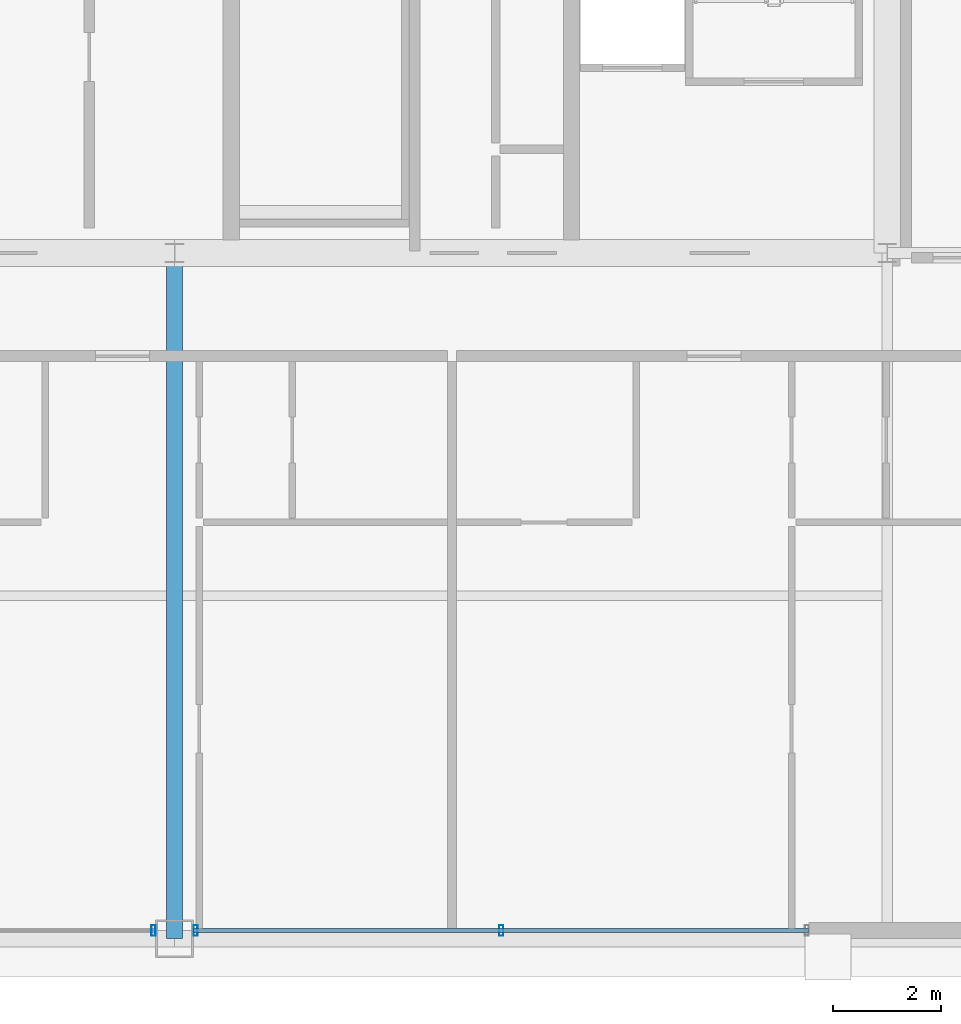
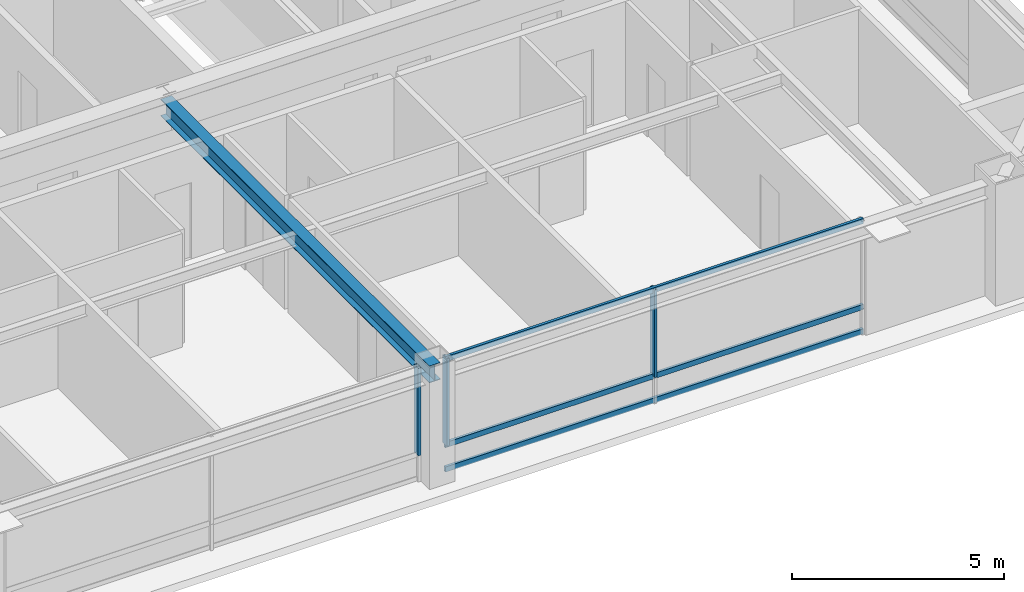
# One storey, part 8 of 35: 6 members, 1 beam, 2 elements without a shape of their own.
"""IFC4 building model written with IfcOpenShell, lengths in metres."""

from ifc_helpers import new_model, si_unit, direction, frame, origin, origin_2d, place, context, subcontext, project, spatial, hollow_rectangle, i_section, extrude, source, transform, mapped, material, layer, layer_set, material_profile, profile_set, type_object, element, aggregate, save


model = new_model("IFC4")

# Units and contexts
model_context = context("Model", 3, precision=1e-05, world=origin(), true_north=direction((0.0, 1.0)))
body_context = subcontext(model_context, "Body", "Model", "MODEL_VIEW")
ifc_project = project(units=[si_unit("LENGTHUNIT", "METRE"), si_unit("AREAUNIT", "SQUARE_METRE"), si_unit("VOLUMEUNIT", "CUBIC_METRE"), si_unit("PLANEANGLEUNIT", "RADIAN"), si_unit("MASSUNIT", "GRAM", prefix="KILO"), si_unit("THERMODYNAMICTEMPERATUREUNIT", "KELVIN"), si_unit("POWERUNIT", "WATT")], contexts=[model_context])

# Site, building, storey
site_placement = place(None, origin())
site = spatial("IfcSite", under=ifc_project, at=site_placement, CompositionType="ELEMENT")
building_placement = place(site_placement, origin())
building = spatial("IfcBuilding", under=site, at=building_placement, Name="Yuzanri Waterfront Tower", CompositionType="ELEMENT")
storey_placement = place(building_placement, frame((0.0, 0.0, 318.199951171875)))
storey = spatial("IfcBuildingStorey", under=building, at=storey_placement, Name="L85", CompositionType="ELEMENT", Elevation=318.199951171875)

# Beam
ifc_material_1 = material(Name="Steel Q355B", Category="steel")
ifc_material_profile_1 = material_profile(ifc_material_1, i_section(OverallWidth=0.300048828125, OverallDepth=0.488037109375, WebThickness=0.010986328125, FlangeThickness=0.01806640625, at=origin_2d()), Name="HM 488x300x11x18")
ifc_profile_set_1 = profile_set([ifc_material_profile_1], Name="Steel Q355B")
beam_type = type_object("IfcBeamType", Name="Primary Floor Girder Q355B HM 488x300", PredefinedType="BEAM", material=ifc_profile_set_1)
shared_shape_1 = source(origin(), body_context, "Body", "SweptSolid", [
    extrude(i_section(OverallWidth=0.300048828125, OverallDepth=0.488037109375, WebThickness=0.010986328125, FlangeThickness=0.01806640625, at=origin_2d()), origin(), (0.0, 0.0, 1.0), 12.699951171875),
])
beam_placement = place(storey_placement, frame((37.0, 19.39990234375, 3.0361328125), z_axis=(0.0, -1.0, 0.0), x_axis=(1.0, 0.0, 0.0)))
element("IfcBeam", 1, at=beam_placement, inside=storey, type_object=beam_type, Name="L85 South Grid Girder", PredefinedType="BEAM", context=body_context, shape_type="MappedRepresentation", body=[
    mapped(shared_shape_1, transform((0.0, 0.0, 0.0), scale=1.0)),
])

# Curtain wall, member
ifc_material_2 = material(Name="Anodized Architectural Bronze", Category="metal")
ifc_layer = layer(ifc_material_2, 0.159912109375)
ifc_layer_set = layer_set([ifc_layer], Name="Anodized Architectural Bronze")
curtain_wall_type = type_object("IfcCurtainWallType", Name="Anodized Bronze High-Rise Penthouse High-Wind Unitized Curtain Wall 6900", PredefinedType="NOTDEFINED", material=ifc_layer_set)
curtain_wall_1_placement = place(storey_placement, origin())
curtain_wall_1 = element("IfcCurtainWall", 2, at=curtain_wall_1_placement, inside=storey, type_object=curtain_wall_type, Name="L85 Curtain Wall CW-L85-SL", PredefinedType="NOTDEFINED")
ifc_material_3 = material(Name="Anodized Architectural Bronze", Category="metal")
ifc_material_profile_2 = material_profile(ifc_material_3, hollow_rectangle(XDim=0.074951171875, YDim=0.199951171875, WallThickness=0.00390625, at=origin_2d()), Name="CWM 75x200")
ifc_profile_set_2 = profile_set([ifc_material_profile_2], Name="Anodized Architectural Bronze")
member_type_1 = type_object("IfcMemberType", Name="Anodized Bronze Primary Curtain-Wall Mullion 75x200", PredefinedType="MULLION", material=ifc_profile_set_2)
shared_shape_2 = source(origin(), body_context, "Body", "SweptSolid", [
    extrude(hollow_rectangle(XDim=0.074951171875, YDim=0.199951171875, WallThickness=0.00390625, at=origin_2d()), origin(), (0.0, 0.0, 1.0), 2.52392578125),
])
member_1_placement = place(storey_placement, frame((36.610107421875, 6.85009765625, 0.756103515625), z_axis=(0.0, 0.0, 1.0), x_axis=(1.0, 0.0, 0.0)))
member_1 = element("IfcMember", 3, at=member_1_placement, type_object=member_type_1, Name="CW-L85-SL Upper Mullion 02", PredefinedType="MULLION", context=body_context, shape_type="MappedRepresentation", body=[
    mapped(shared_shape_2, transform((0.0, 0.0, 0.0), scale=1.0)),
])
aggregate(curtain_wall_1, [member_1])

# Curtain wall, members
curtain_wall_2_placement = place(storey_placement, origin())
curtain_wall_2 = element("IfcCurtainWall", 4, at=curtain_wall_2_placement, inside=storey, type_object=curtain_wall_type, Name="L85 Curtain Wall CW-L85-SR", PredefinedType="NOTDEFINED")
member_2_placement = place(storey_placement, frame((37.389892578125, 6.85009765625, 0.756103515625), z_axis=(0.0, 0.0, 1.0), x_axis=(1.0, 0.0, 0.0)))
member_2 = element("IfcMember", 5, at=member_2_placement, type_object=member_type_1, Name="CW-L85-SR Upper Mullion 00", PredefinedType="MULLION", context=body_context, shape_type="MappedRepresentation", body=[
    mapped(shared_shape_2, transform((0.0, 0.0, 0.0), scale=1.0)),
])
member_3_placement = place(storey_placement, frame((43.050048828125, 6.85009765625, 0.756103515625), z_axis=(0.0, 0.0, 1.0), x_axis=(1.0, 0.0, 0.0)))
member_3 = element("IfcMember", 6, at=member_3_placement, type_object=member_type_1, Name="CW-L85-SR Upper Mullion 01", PredefinedType="MULLION", context=body_context, shape_type="MappedRepresentation", body=[
    mapped(shared_shape_2, transform((0.0, 0.0, 0.0), scale=1.0)),
])
ifc_material_4 = material(Name="Anodized Architectural Bronze", Category="metal")
ifc_material_profile_3 = material_profile(ifc_material_4, hollow_rectangle(XDim=0.074951171875, YDim=0.14990234375, WallThickness=0.00390625, at=origin_2d()), Name="CWT 75x150")
ifc_profile_set_3 = profile_set([ifc_material_profile_3], Name="Anodized Architectural Bronze")
member_type_2 = type_object("IfcMemberType", Name="Anodized Bronze Primary Curtain-Wall Transom 75x150", PredefinedType="USERDEFINED", material=ifc_profile_set_3)
shared_shape_3 = source(origin(), body_context, "Body", "SweptSolid", [
    extrude(hollow_rectangle(XDim=0.074951171875, YDim=0.14990234375, WallThickness=0.00390625, at=origin_2d()), origin(), (0.0, 0.0, 1.0), 11.39990234375),
])
member_4_placement = place(storey_placement, frame((37.35009765625, 6.85009765625, 0.050048828125), z_axis=(1.0, 0.0, 0.0), x_axis=(0.0, 1.0, 0.0)))
member_4 = element("IfcMember", 7, at=member_4_placement, type_object=member_type_2, Name="CW-L85-SR Transom 1", ObjectType="TRANSOM", PredefinedType="USERDEFINED", context=body_context, shape_type="MappedRepresentation", body=[
    mapped(shared_shape_3, transform((0.0, 0.0, 0.0), scale=1.0)),
])
member_5_placement = place(storey_placement, frame((37.35009765625, 6.85009765625, 0.754150390625), z_axis=(1.0, 0.0, 0.0), x_axis=(0.0, 1.0, 0.0)))
member_5 = element("IfcMember", 8, at=member_5_placement, type_object=member_type_2, Name="CW-L85-SR Transom 2", ObjectType="TRANSOM", PredefinedType="USERDEFINED", context=body_context, shape_type="MappedRepresentation", body=[
    mapped(shared_shape_3, transform((0.0, 0.0, 0.0), scale=1.0)),
])
member_6_placement = place(storey_placement, frame((37.35009765625, 6.85009765625, 3.22998046875), z_axis=(1.0, 0.0, 0.0), x_axis=(0.0, 1.0, 0.0)))
member_6 = element("IfcMember", 9, at=member_6_placement, type_object=member_type_2, Name="CW-L85-SR Transom 3", ObjectType="TRANSOM", PredefinedType="USERDEFINED", context=body_context, shape_type="MappedRepresentation", body=[
    mapped(shared_shape_3, transform((0.0, 0.0, 0.0), scale=1.0)),
])
aggregate(curtain_wall_2, [member_2, member_3, member_4, member_5, member_6])

save(model, "model.ifc")
